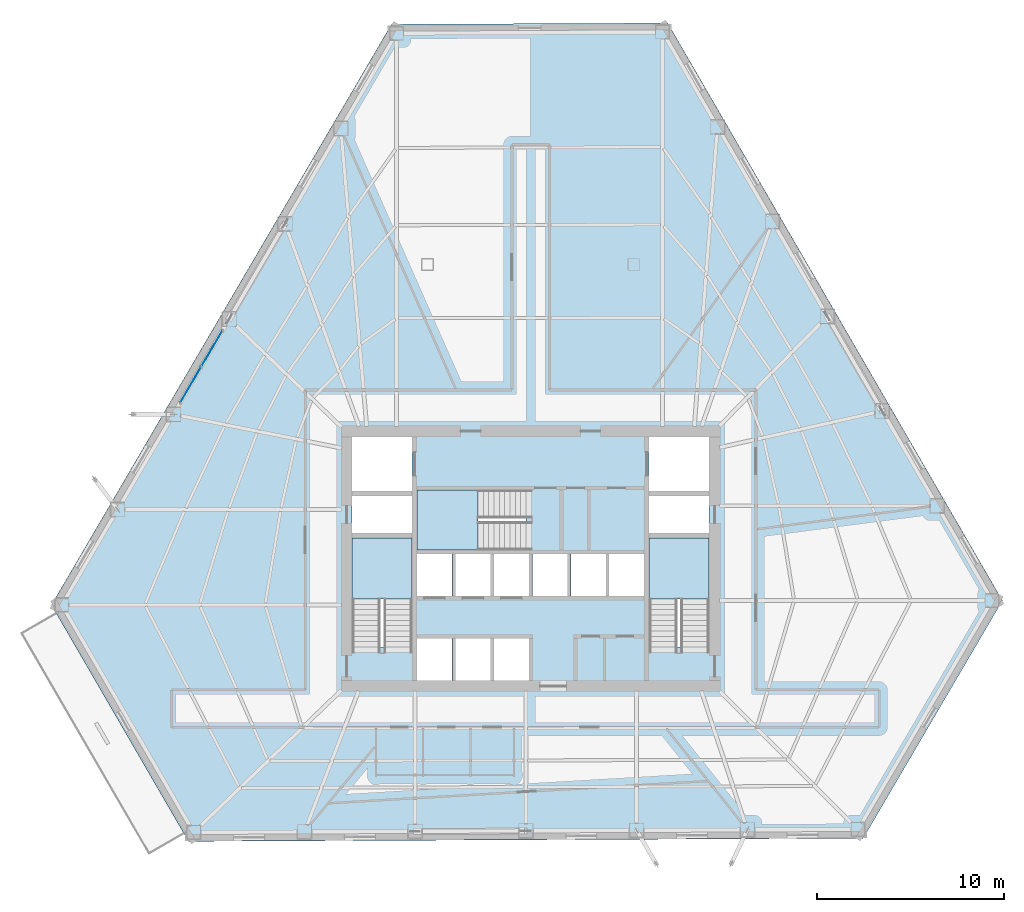
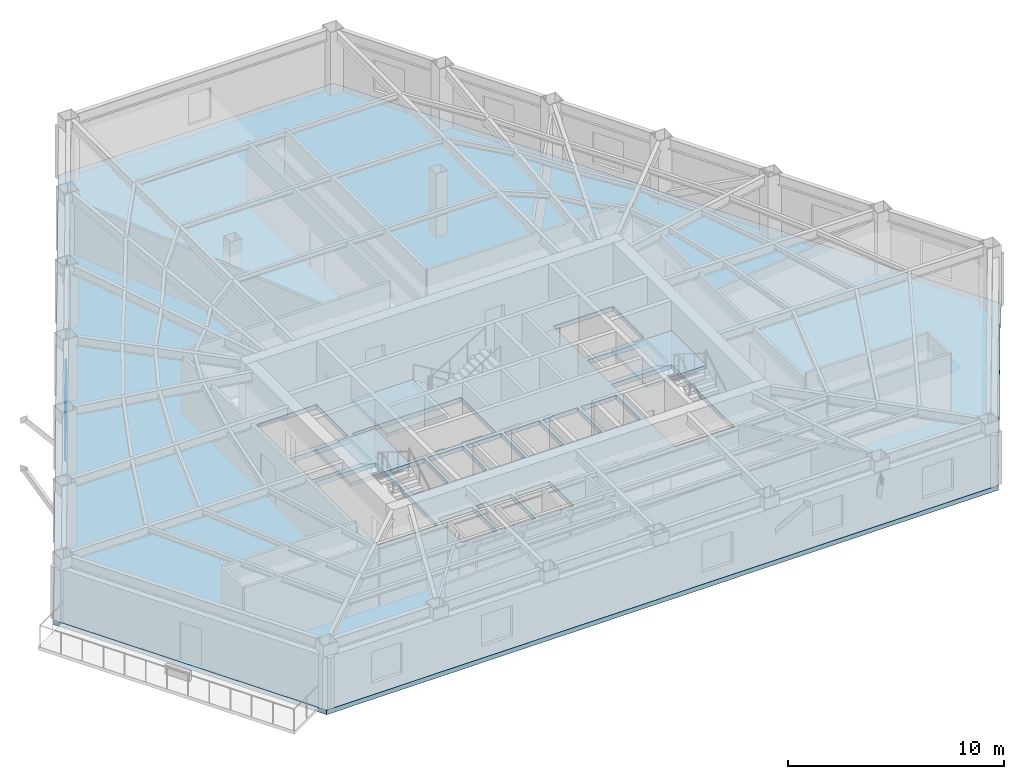
# One storey, part 4 of 15: 4 slabs, 2 plates, 4 elements without a shape of their own.
"""IFC4 building model written with IfcOpenShell, lengths in metres."""

from ifc_helpers import new_model, si_unit, direction, frame, origin, origin_2d, place, context, subcontext, project, spatial, polyline, rectangle, outline, extrude, material, layer, layer_set, type_object, element, aggregate, save


model = new_model("IFC4")

# Units and contexts
model_context = context("Model", 3, precision=1e-05, world=origin(), true_north=direction((0.0, 1.0)))
body_context = subcontext(model_context, "Body", "Model", "MODEL_VIEW")
ifc_project = project(units=[si_unit("LENGTHUNIT", "METRE"), si_unit("AREAUNIT", "SQUARE_METRE"), si_unit("VOLUMEUNIT", "CUBIC_METRE"), si_unit("PLANEANGLEUNIT", "RADIAN"), si_unit("MASSUNIT", "GRAM", prefix="KILO")], contexts=[model_context])

# Site, building, storey
site_placement = place(None, origin())
site = spatial("IfcSite", under=ifc_project, at=site_placement, CompositionType="ELEMENT")
building_placement = place(site_placement, origin())
building = spatial("IfcBuilding", under=site, at=building_placement, Name="Kavelnor Concourse Tower", CompositionType="ELEMENT")
storey_placement = place(building_placement, frame((0.0, 0.0, 67.60009765625)))
storey = spatial("IfcBuildingStorey", under=building, at=storey_placement, Name="L17", CompositionType="ELEMENT", Elevation=67.60009765625)

# Curtain wall, plates
ifc_material_1 = material(Name="Anodised aluminium 6063-T6", Category="aluminium")
ifc_layer_1 = layer(ifc_material_1, 0.139892578125, Name="Anodised aluminium 6063-T6")
ifc_layer_set_1 = layer_set([ifc_layer_1], Name="Anodised aluminium 6063-T6")
curtain_wall_type = type_object("IfcCurtainWallType", Name="CW-TERRACE-PAVILION", PredefinedType="NOTDEFINED", material=ifc_layer_set_1)
curtain_wall_placement = place(storey_placement, origin())
curtain_wall = element("IfcCurtainWall", 1, at=curtain_wall_placement, inside=storey, type_object=curtain_wall_type, Name="L17 Terrace Pavilion Curtain Wall", PredefinedType="NOTDEFINED")
ifc_material_2 = material(Name="Double low-E argon insulated glazing", Category="glass")
ifc_layer_2 = layer(ifc_material_2, 0.02392578125, Name="Double low-E argon insulated glazing")
ifc_layer_set_2 = layer_set([ifc_layer_2], Name="Double low-E argon insulated glazing")
plate_type = type_object("IfcPlateType", Name="CW-TERRACE-PAVILION-PANEL", PredefinedType="CURTAIN_PANEL", material=ifc_layer_set_2)
plate_1_placement = place(storey_placement, frame((20.99658203125, 27.309326171875, 0.06005859375), z_axis=(0.0, 0.0, 1.0), x_axis=(-0.505280886365, -0.862954938496, 0.0)))
plate_1 = element("IfcPlate", 2, at=plate_1_placement, type_object=plate_type, Name="L17 Terrace Pavilion Curtain Wall Vision Panel 1", PredefinedType="CURTAIN_PANEL", context=body_context, shape_type="SweptSolid", body=[
    extrude(rectangle(XDim=2.196044921875, YDim=0.02392578125, at=origin_2d()), origin(), (0.0, 0.0, 1.0), 2.6298828125),
])
plate_2_placement = place(storey_placement, frame((19.8623046875, 25.372314453125, 0.06005859375), z_axis=(0.0, 0.0, 1.0), x_axis=(-0.505280886365, -0.862954938496, 0.0)))
plate_2 = element("IfcPlate", 3, at=plate_2_placement, type_object=plate_type, Name="L17 Terrace Pavilion Curtain Wall Vision Panel 2", PredefinedType="CURTAIN_PANEL", context=body_context, shape_type="SweptSolid", body=[
    extrude(rectangle(XDim=2.196044921875, YDim=0.02392578125, at=origin_2d()), origin(), (0.0, 0.0, 1.0), 2.6298828125),
])
aggregate(curtain_wall, [plate_1, plate_2])

# Stair, slab
ifc_material_3 = material(Name="Concrete C40/50", Category="concrete")
stair_type = type_object("IfcStairType", Name="STR-CORE-1500", PredefinedType="HALF_TURN_STAIR", material=ifc_material_3)
stair_1_placement = place(storey_placement, origin())
stair_1 = element("IfcStair", 4, at=stair_1_placement, inside=storey, type_object=stair_type, Name="L17 ST1", PredefinedType="HALF_TURN_STAIR")
ifc_layer_3 = layer(ifc_material_3, 0.199951171875, Name="Concrete C40/50")
ifc_layer_set_3 = layer_set([ifc_layer_3], Name="Concrete C40/50")
slab_type_1 = type_object("IfcSlabType", Name="SLB-LANDING-200", PredefinedType="LANDING", material=ifc_layer_set_3)
slab_1_placement = place(storey_placement, frame((0.0, 0.0, 1.724853515625)))
slab_1 = element("IfcSlab", 5, at=slab_1_placement, type_object=slab_type_1, Name="ST1 landing 1", PredefinedType="LANDING", context=body_context, shape_type="SweptSolid", body=[
    extrude(outline(polyline([(31.679931640625, 13.949951171875), (31.679931640625, 17.199951171875), (28.47998046875, 17.199951171875), (28.47998046875, 13.949951171875), (31.679931640625, 13.949951171875)])), origin(), (0.0, 0.0, 1.0), 0.199951171875),
])
aggregate(stair_1, [slab_1])

stair_2_placement = place(storey_placement, origin())
stair_2 = element("IfcStair", 6, at=stair_2_placement, inside=storey, type_object=stair_type, Name="L17 ST2", PredefinedType="HALF_TURN_STAIR")
slab_2_placement = place(storey_placement, frame((0.0, 0.0, 1.724853515625)))
slab_2 = element("IfcSlab", 7, at=slab_2_placement, type_object=slab_type_1, Name="ST2 landing 1", PredefinedType="LANDING", context=body_context, shape_type="SweptSolid", body=[
    extrude(outline(polyline([(47.52001953125, 13.949951171875), (47.52001953125, 17.199951171875), (44.320068359375, 17.199951171875), (44.320068359375, 13.949951171875), (47.52001953125, 13.949951171875)])), origin(), (0.0, 0.0, 1.0), 0.199951171875),
])
aggregate(stair_2, [slab_2])

stair_3_placement = place(storey_placement, origin())
stair_3 = element("IfcStair", 8, at=stair_3_placement, inside=storey, type_object=stair_type, Name="L17 ST3", PredefinedType="HALF_TURN_STAIR")
slab_3_placement = place(storey_placement, frame((0.0, 0.0, 1.724853515625)))
slab_3 = element("IfcSlab", 9, at=slab_3_placement, type_object=slab_type_1, Name="ST3 landing 1", PredefinedType="LANDING", context=body_context, shape_type="SweptSolid", body=[
    extrude(outline(polyline([(35.18994140625, 19.760009765625), (31.93994140625, 19.760009765625), (31.93994140625, 16.56005859375), (35.18994140625, 16.56005859375), (35.18994140625, 19.760009765625)])), origin(), (0.0, 0.0, 1.0), 0.199951171875),
])
aggregate(stair_3, [slab_3])

# Slab
ifc_layer_4 = layer(ifc_material_3, 0.260009765625, Name="Concrete C40/50")
ifc_layer_set_4 = layer_set([ifc_layer_4], Name="Concrete C40/50")
slab_type_2 = type_object("IfcSlabType", Name="SLB-OFFICE-260", PredefinedType="FLOOR", material=ifc_layer_set_4)
slab_4_placement = place(storey_placement, frame((0.0, 0.0, -0.260009765625)))
element("IfcSlab", 10, at=slab_4_placement, inside=storey, type_object=slab_type_2, Name="L17 Composite Structural Floor Slab", PredefinedType="FLOOR", context=body_context, shape_type="SweptSolid", body=[
    extrude(outline(polyline([(45.31396484375, 44.67529296875), (30.571044921875, 44.608642578125), (12.432861328125, 13.635498046875), (19.746826171875, 1.01611328125), (55.7421875, 1.17822265625), (63.171142578125, 13.8642578125), (45.31396484375, 44.67529296875)]), holes=[polyline([(28.47998046875, 11.3798828125), (31.679931640625, 11.3798828125), (31.679931640625, 17.199951171875), (28.47998046875, 17.199951171875), (28.47998046875, 11.3798828125)]), polyline([(44.320068359375, 11.3798828125), (47.52001953125, 11.3798828125), (47.52001953125, 17.199951171875), (44.320068359375, 17.199951171875), (44.320068359375, 11.3798828125)]), polyline([(31.93994140625, 16.56005859375), (37.760009765625, 16.56005859375), (37.760009765625, 19.760009765625), (31.93994140625, 19.760009765625), (31.93994140625, 16.56005859375)]), polyline([(28.47998046875, 19.699951171875), (31.679931640625, 19.699951171875), (31.679931640625, 22.60009765625), (28.47998046875, 22.60009765625), (28.47998046875, 19.699951171875)]), polyline([(44.320068359375, 19.699951171875), (47.52001953125, 19.699951171875), (47.52001953125, 22.60009765625), (44.320068359375, 22.60009765625), (44.320068359375, 19.699951171875)]), polyline([(31.93994140625, 14.10009765625), (33.81005859375, 14.10009765625), (33.81005859375, 16.340087890625), (31.93994140625, 16.340087890625), (31.93994140625, 14.10009765625)]), polyline([(33.989990234375, 14.10009765625), (35.860107421875, 14.10009765625), (35.860107421875, 16.340087890625), (33.989990234375, 16.340087890625), (33.989990234375, 14.10009765625)]), polyline([(36.0400390625, 14.10009765625), (37.909912109375, 14.10009765625), (37.909912109375, 16.340087890625), (36.0400390625, 16.340087890625), (36.0400390625, 14.10009765625)]), polyline([(38.090087890625, 14.10009765625), (39.9599609375, 14.10009765625), (39.9599609375, 16.340087890625), (38.090087890625, 16.340087890625), (38.090087890625, 14.10009765625)]), polyline([(40.139892578125, 14.10009765625), (42.010009765625, 14.10009765625), (42.010009765625, 16.340087890625), (40.139892578125, 16.340087890625), (40.139892578125, 14.10009765625)]), polyline([(42.18994140625, 14.10009765625), (44.06005859375, 14.10009765625), (44.06005859375, 16.340087890625), (42.18994140625, 16.340087890625), (42.18994140625, 14.10009765625)]), polyline([(31.93994140625, 9.60009765625), (33.81005859375, 9.60009765625), (33.81005859375, 11.840087890625), (31.93994140625, 11.840087890625), (31.93994140625, 9.60009765625)]), polyline([(33.989990234375, 9.60009765625), (35.860107421875, 9.60009765625), (35.860107421875, 11.840087890625), (33.989990234375, 11.840087890625), (33.989990234375, 9.60009765625)]), polyline([(36.0400390625, 9.60009765625), (37.909912109375, 9.60009765625), (37.909912109375, 11.840087890625), (36.0400390625, 11.840087890625), (36.0400390625, 9.60009765625)]), polyline([(28.47998046875, 17.4599609375), (31.679931640625, 17.4599609375), (31.679931640625, 19.43994140625), (28.47998046875, 19.43994140625), (28.47998046875, 17.4599609375)]), polyline([(44.320068359375, 17.4599609375), (47.52001953125, 17.4599609375), (47.52001953125, 19.43994140625), (44.320068359375, 19.43994140625), (44.320068359375, 17.4599609375)])]), origin(), (0.0, 0.0, 1.0), 0.260009765625),
])

save(model, "model.ifc")
